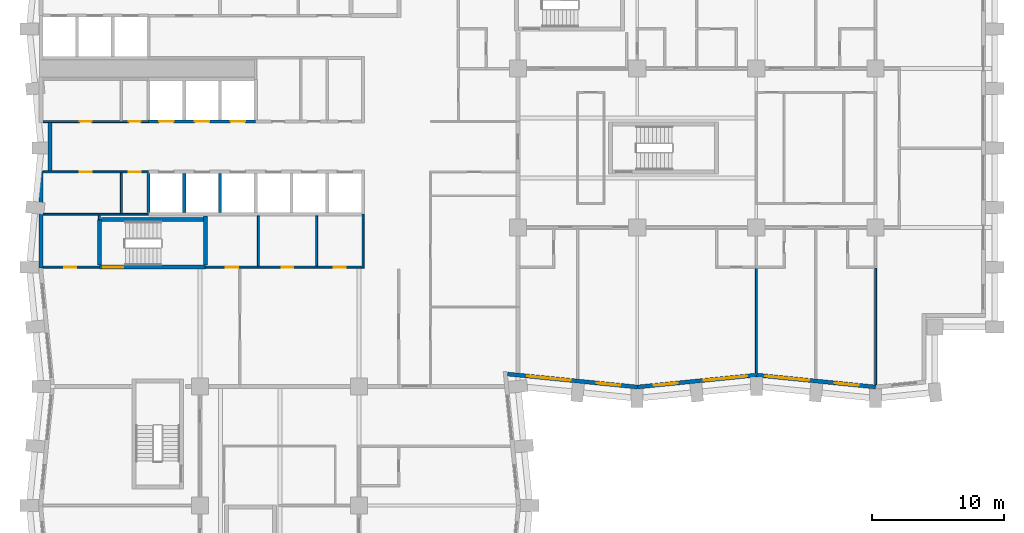
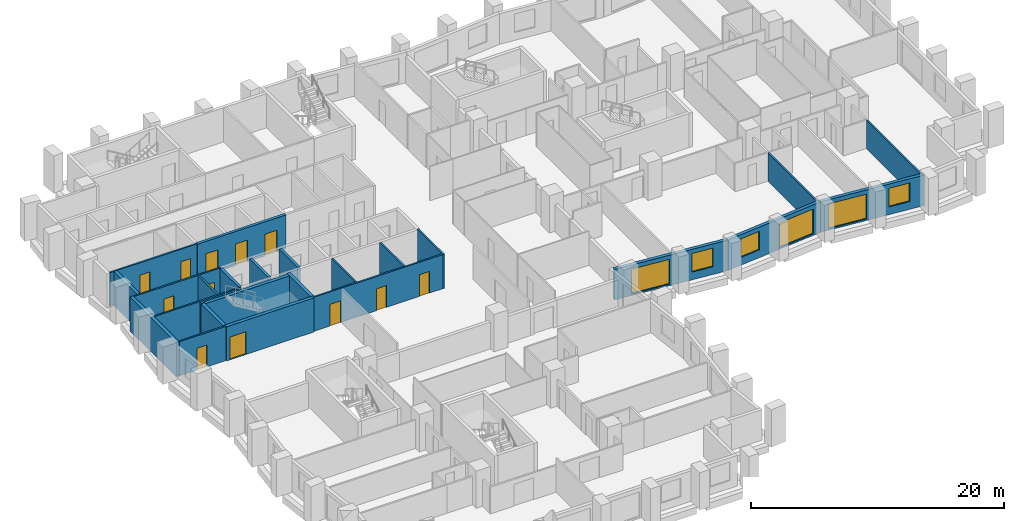
# One storey, part 5 of 12: 25 walls, 12 doors, 6 windows, 18 openings.
"""IFC4 building model written with IfcOpenShell, lengths in metres."""

from ifc_helpers import new_model, si_unit, direction, frame, frame_2d, origin, place, context, subcontext, project, spatial, rectangle, extrude, material, layer, layer_set, type_object, element, fill, save


model = new_model("IFC4")

# Units and contexts
model_context = context("Model", 3, precision=1e-05, world=origin(), true_north=direction((0.0, 1.0)))
body_context = subcontext(model_context, "Body", "Model", "MODEL_VIEW")
ifc_project = project(units=[si_unit("LENGTHUNIT", "METRE"), si_unit("AREAUNIT", "SQUARE_METRE"), si_unit("VOLUMEUNIT", "CUBIC_METRE"), si_unit("PLANEANGLEUNIT", "RADIAN"), si_unit("MASSUNIT", "GRAM", prefix="KILO")], contexts=[model_context])

# Site, building, storey
site_placement = place(None, origin())
site = spatial("IfcSite", under=ifc_project, at=site_placement, CompositionType="ELEMENT")
building_placement = place(site_placement, origin())
building = spatial("IfcBuilding", under=site, at=building_placement, Name="Brondeck Convention Tower", CompositionType="ELEMENT")
storey_placement = place(building_placement, frame((0.0, 0.0, 62.699951171875)))
storey = spatial("IfcBuildingStorey", under=building, at=storey_placement, Name="L13", CompositionType="ELEMENT", Elevation=62.699951171875)

# Wall, openings, doors
ifc_material_1 = material(Name="Concrete C80/95", Category="concrete")
ifc_layer_1 = layer(ifc_material_1, 0.14990234375)
ifc_layer_set_1 = layer_set([ifc_layer_1], Name="Core beam-seat wall 150 Concrete C80/95")
wall_type_1 = type_object("IfcWallType", Name="Core beam-seat wall 150 Concrete C80/95", PredefinedType="SHEAR", material=ifc_layer_set_1)
wall_1_placement = place(storey_placement, frame((12.39990234375, 36.0, 0.0), z_axis=(0.0, 0.0, 1.0), x_axis=(1.0, 0.0, 0.0)))
wall_1 = element("IfcWall", 1, at=wall_1_placement, inside=storey, type_object=wall_type_1, Name="L13 core wall", PredefinedType="SHEAR", context=body_context, shape_type="SweptSolid", body=[
    extrude(rectangle(XDim=11.8251953125, YDim=0.14990234375, at=frame_2d((5.91259765625, 0.0))), origin(), (0.0, 0.0, 1.0), 3.300048828125),
])
opening_1_placement = place(wall_1_placement, frame((1.52490234375, 0.0, 0.0)))
opening_1 = element("IfcOpeningElement", 2, at=opening_1_placement, cuts=wall_1, Name="Opening C10-03", PredefinedType="OPENING", context=body_context, shape_type="SweptSolid", body=[
    extrude(rectangle(XDim=0.949951171875, YDim=2.10009765625, at=frame_2d((0.47509765625, 1.050048828125))), frame((0.0, 0.0849609375, 0.0), z_axis=(0.0, -1.0, 0.0), x_axis=(1.0, 0.0, 0.0)), (0.0, 0.0, 1.0), 0.169921875),
])
opening_2_placement = place(wall_1_placement, frame((5.75, 0.0, 0.0)))
opening_2 = element("IfcOpeningElement", 3, at=opening_2_placement, cuts=wall_1, Name="Opening C10-04", PredefinedType="OPENING", context=body_context, shape_type="SweptSolid", body=[
    extrude(rectangle(XDim=0.89990234375, YDim=2.10009765625, at=frame_2d((0.449951171875, 1.050048828125))), frame((0.0, 0.0849609375, 0.0), z_axis=(0.0, -1.0, 0.0), x_axis=(1.0, 0.0, 0.0)), (0.0, 0.0, 1.0), 0.169921875),
])
opening_3_placement = place(wall_1_placement, frame((9.699951171875, 0.0, 0.0)))
opening_3 = element("IfcOpeningElement", 4, at=opening_3_placement, cuts=wall_1, Name="Opening C10-05", PredefinedType="OPENING", context=body_context, shape_type="SweptSolid", body=[
    extrude(rectangle(XDim=0.89990234375, YDim=2.10009765625, at=frame_2d((0.449951171875, 1.050048828125))), frame((0.0, 0.0849609375, 0.0), z_axis=(0.0, -1.0, 0.0), x_axis=(1.0, 0.0, 0.0)), (0.0, 0.0, 1.0), 0.169921875),
])
ifc_material_2 = material(Name="Steel fire door", Category="steel")
door_type_1 = type_object("IfcDoorType", Name="Room door 900x2100 EI 60", OperationType="NOTDEFINED", PredefinedType="DOOR", material=ifc_material_2)
door_1_placement = place(opening_2_placement, origin())
door_1 = element("IfcDoor", 5, at=door_1_placement, inside=storey, type_object=door_type_1, Name="L13 Room door FR-2", OperationType="SINGLE_SWING_LEFT", OverallHeight=2.10009765625, OverallWidth=0.89990234375, PredefinedType="DOOR", context=body_context, shape_type="SweptSolid", body=[
    extrude(rectangle(XDim=0.89990234375, YDim=2.10009765625, at=frame_2d((0.449951171875, 1.050048828125))), frame((0.0, 0.02490234375, 0.0), z_axis=(0.0, -1.0, 0.0), x_axis=(1.0, 0.0, 0.0)), (0.0, 0.0, 1.0), 0.050048828125),
])
fill(opening_2, door_1)
door_2_placement = place(opening_3_placement, origin())
door_2 = element("IfcDoor", 6, at=door_2_placement, inside=storey, type_object=door_type_1, Name="L13 Room door FR-3", OperationType="SINGLE_SWING_RIGHT", OverallHeight=2.10009765625, OverallWidth=0.89990234375, PredefinedType="DOOR", context=body_context, shape_type="SweptSolid", body=[
    extrude(rectangle(XDim=0.89990234375, YDim=2.10009765625, at=frame_2d((0.449951171875, 1.050048828125))), frame((0.0, 0.02490234375, 0.0), z_axis=(0.0, -1.0, 0.0), x_axis=(1.0, 0.0, 0.0)), (0.0, 0.0, 1.0), 0.050048828125),
])
fill(opening_3, door_2)
door_type_2 = type_object("IfcDoorType", Name="Room door 950x2100 EI 60", OperationType="NOTDEFINED", PredefinedType="DOOR", material=ifc_material_2)
door_3_placement = place(opening_1_placement, origin())
door_3 = element("IfcDoor", 7, at=door_3_placement, inside=storey, type_object=door_type_2, Name="L13 Room door FR-1", OperationType="SINGLE_SWING_RIGHT", OverallHeight=2.10009765625, OverallWidth=0.949951171875, PredefinedType="DOOR", context=body_context, shape_type="SweptSolid", body=[
    extrude(rectangle(XDim=0.949951171875, YDim=2.10009765625, at=frame_2d((0.47509765625, 1.050048828125))), frame((0.0, 0.02490234375, 0.0), z_axis=(0.0, -1.0, 0.0), x_axis=(1.0, 0.0, 0.0)), (0.0, 0.0, 1.0), 0.050048828125),
])
fill(opening_1, door_3)

# Walls
wall_2_placement = place(storey_placement, frame((24.300048828125, 35.925048828125, 0.0), z_axis=(0.0, 0.0, 1.0), x_axis=(0.0, 1.0, 0.0)))
element("IfcWall", 8, at=wall_2_placement, inside=storey, type_object=wall_type_1, Name="L13 core wall", PredefinedType="SHEAR", context=body_context, shape_type="SweptSolid", body=[
    extrude(rectangle(XDim=4.074951171875, YDim=0.14990234375, at=frame_2d((2.03759765625, 0.0))), origin(), (0.0, 0.0, 1.0), 3.300048828125),
])
ifc_layer_2 = layer(ifc_material_1, 0.300048828125)
ifc_layer_set_2 = layer_set([ifc_layer_2], Name="Core outer wall 300 Concrete C80/95")
wall_type_2 = type_object("IfcWallType", Name="Core outer wall 300 Concrete C80/95", PredefinedType="SHEAR", material=ifc_layer_set_2)
wall_3_placement = place(storey_placement, frame((0.0, 35.925048828125, 0.0), z_axis=(0.0, 0.0, 1.0), x_axis=(0.0, 1.0, 0.0)))
element("IfcWall", 9, at=wall_3_placement, inside=storey, type_object=wall_type_2, Name="L13 core wall", PredefinedType="SHEAR", context=body_context, shape_type="SweptSolid", body=[
    extrude(rectangle(XDim=7.349853515625, YDim=0.300048828125, at=frame_2d((3.6748046875, 0.0))), origin(), (0.0, 0.0, 1.0), 3.300048828125),
])
wall_4_placement = place(storey_placement, frame((0.64990234375, 43.27490234375, 0.0), z_axis=(0.0, 0.0, 1.0), x_axis=(0.0, 1.0, 0.0)))
element("IfcWall", 10, at=wall_4_placement, inside=storey, type_object=wall_type_2, Name="L13 core wall", PredefinedType="SHEAR", context=body_context, shape_type="SweptSolid", body=[
    extrude(rectangle(XDim=3.650146484375, YDim=0.300048828125, at=frame_2d((1.8251953125, 0.0))), origin(), (0.0, 0.0, 1.0), 3.300048828125),
])

# Wall, opening, door
ifc_material_3 = material(Name="Fire-rated gypsum board partition")
ifc_layer_3 = layer(ifc_material_3, 0.14990234375)
ifc_layer_set_3 = layer_set([ifc_layer_3], Name="Core partition 150 EI 60")
wall_type_3 = type_object("IfcWallType", Name="Core partition 150 EI 60", PredefinedType="PARTITIONING", material=ifc_layer_set_3)
wall_5_placement = place(storey_placement, frame((0.14990234375, 36.0, 0.0), z_axis=(0.0, 0.0, 1.0), x_axis=(1.0, 0.0, 0.0)))
wall_5 = element("IfcWall", 11, at=wall_5_placement, inside=storey, type_object=wall_type_3, Name="L13 core wall", PredefinedType="PARTITIONING", context=body_context, shape_type="SweptSolid", body=[
    extrude(rectangle(XDim=4.25, YDim=0.14990234375, at=frame_2d((2.125, 0.0))), origin(), (0.0, 0.0, 1.0), 3.300048828125),
])
opening_4_placement = place(wall_5_placement, frame((1.60009765625, 0.0, 0.0)))
opening_4 = element("IfcOpeningElement", 12, at=opening_4_placement, cuts=wall_5, Name="Opening C10-06", PredefinedType="OPENING", context=body_context, shape_type="SweptSolid", body=[
    extrude(rectangle(XDim=0.89990234375, YDim=2.10009765625, at=frame_2d((0.449951171875, 1.050048828125))), frame((0.0, 0.0849609375, 0.0), z_axis=(0.0, -1.0, 0.0), x_axis=(1.0, 0.0, 0.0)), (0.0, 0.0, 1.0), 0.169921875),
])
door_4_placement = place(opening_4_placement, origin())
door_4 = element("IfcDoor", 13, at=door_4_placement, inside=storey, type_object=door_type_1, Name="L13 Room door FRW-1", OperationType="SINGLE_SWING_LEFT", OverallHeight=2.10009765625, OverallWidth=0.89990234375, PredefinedType="DOOR", context=body_context, shape_type="SweptSolid", body=[
    extrude(rectangle(XDim=0.89990234375, YDim=2.10009765625, at=frame_2d((0.449951171875, 1.050048828125))), frame((0.0, 0.02490234375, 0.0), z_axis=(0.0, -1.0, 0.0), x_axis=(1.0, 0.0, 0.0)), (0.0, 0.0, 1.0), 0.050048828125),
])
fill(opening_4, door_4)

# Wall
wall_6_placement = place(storey_placement, frame((0.14990234375, 40.0, 0.0), z_axis=(0.0, 0.0, 1.0), x_axis=(1.0, 0.0, 0.0)))
element("IfcWall", 14, at=wall_6_placement, inside=storey, type_object=wall_type_3, Name="L13 core wall", PredefinedType="PARTITIONING", context=body_context, shape_type="SweptSolid", body=[
    extrude(rectangle(XDim=7.9501953125, YDim=0.14990234375, at=frame_2d((3.97509765625, 0.0))), origin(), (0.0, 0.0, 1.0), 3.300048828125),
])

# Wall, openings, doors
wall_7_placement = place(storey_placement, frame((0.14990234375, 43.199951171875, 0.0), z_axis=(0.0, 0.0, 1.0), x_axis=(1.0, 0.0, 0.0)))
wall_7 = element("IfcWall", 15, at=wall_7_placement, inside=storey, type_object=wall_type_3, Name="L13 core wall", PredefinedType="PARTITIONING", context=body_context, shape_type="SweptSolid", body=[
    extrude(rectangle(XDim=7.9501953125, YDim=0.14990234375, at=frame_2d((3.97509765625, 0.0))), origin(), (0.0, 0.0, 1.0), 3.300048828125),
])
opening_5_placement = place(wall_7_placement, frame((2.75, 0.0, 0.0)))
opening_5 = element("IfcOpeningElement", 16, at=opening_5_placement, cuts=wall_7, Name="Opening C10-11", PredefinedType="OPENING", context=body_context, shape_type="SweptSolid", body=[
    extrude(rectangle(XDim=0.89990234375, YDim=2.10009765625, at=frame_2d((0.449951171875, 1.050048828125))), frame((0.0, 0.0849609375, 0.0), z_axis=(0.0, -1.0, 0.0), x_axis=(1.0, 0.0, 0.0)), (0.0, 0.0, 1.0), 0.169921875),
])
opening_6_placement = place(wall_7_placement, frame((6.47509765625, 0.0, 0.0)))
opening_6 = element("IfcOpeningElement", 17, at=opening_6_placement, cuts=wall_7, Name="Opening C10-12", PredefinedType="OPENING", context=body_context, shape_type="SweptSolid", body=[
    extrude(rectangle(XDim=0.89990234375, YDim=2.10009765625, at=frame_2d((0.449951171875, 1.050048828125))), frame((0.0, 0.0849609375, 0.0), z_axis=(0.0, -1.0, 0.0), x_axis=(1.0, 0.0, 0.0)), (0.0, 0.0, 1.0), 0.169921875),
])
door_5_placement = place(opening_5_placement, origin())
door_5 = element("IfcDoor", 18, at=door_5_placement, inside=storey, type_object=door_type_1, Name="L13 Room door FZ-S-0-1", OperationType="SINGLE_SWING_LEFT", OverallHeight=2.10009765625, OverallWidth=0.89990234375, PredefinedType="DOOR", context=body_context, shape_type="SweptSolid", body=[
    extrude(rectangle(XDim=0.89990234375, YDim=2.10009765625, at=frame_2d((0.449951171875, 1.050048828125))), frame((0.0, 0.02490234375, 0.0), z_axis=(0.0, -1.0, 0.0), x_axis=(1.0, 0.0, 0.0)), (0.0, 0.0, 1.0), 0.050048828125),
])
fill(opening_5, door_5)
door_6_placement = place(opening_6_placement, origin())
door_6 = element("IfcDoor", 19, at=door_6_placement, inside=storey, type_object=door_type_1, Name="L13 Room door FZ-S-0-2", OperationType="SINGLE_SWING_RIGHT", OverallHeight=2.10009765625, OverallWidth=0.89990234375, PredefinedType="DOOR", context=body_context, shape_type="SweptSolid", body=[
    extrude(rectangle(XDim=0.89990234375, YDim=2.10009765625, at=frame_2d((0.449951171875, 1.050048828125))), frame((0.0, 0.02490234375, 0.0), z_axis=(0.0, -1.0, 0.0), x_axis=(1.0, 0.0, 0.0)), (0.0, 0.0, 1.0), 0.050048828125),
])
fill(opening_6, door_6)

wall_8_placement = place(storey_placement, frame((0.14990234375, 47.0, 0.0), z_axis=(0.0, 0.0, 1.0), x_axis=(1.0, 0.0, 0.0)))
wall_8 = element("IfcWall", 20, at=wall_8_placement, inside=storey, type_object=wall_type_3, Name="L13 core wall", PredefinedType="PARTITIONING", context=body_context, shape_type="SweptSolid", body=[
    extrude(rectangle(XDim=7.9501953125, YDim=0.14990234375, at=frame_2d((3.97509765625, 0.0))), origin(), (0.0, 0.0, 1.0), 3.300048828125),
])
opening_7_placement = place(wall_8_placement, frame((2.75, 0.0, 0.0)))
opening_7 = element("IfcOpeningElement", 21, at=opening_7_placement, cuts=wall_8, Name="Opening C10-07", PredefinedType="OPENING", context=body_context, shape_type="SweptSolid", body=[
    extrude(rectangle(XDim=0.89990234375, YDim=2.10009765625, at=frame_2d((0.449951171875, 1.050048828125))), frame((0.0, 0.0849609375, 0.0), z_axis=(0.0, -1.0, 0.0), x_axis=(1.0, 0.0, 0.0)), (0.0, 0.0, 1.0), 0.169921875),
])
opening_8_placement = place(wall_8_placement, frame((6.47509765625, 0.0, 0.0)))
opening_8 = element("IfcOpeningElement", 22, at=opening_8_placement, cuts=wall_8, Name="Opening C10-08", PredefinedType="OPENING", context=body_context, shape_type="SweptSolid", body=[
    extrude(rectangle(XDim=0.89990234375, YDim=2.10009765625, at=frame_2d((0.449951171875, 1.050048828125))), frame((0.0, 0.0849609375, 0.0), z_axis=(0.0, -1.0, 0.0), x_axis=(1.0, 0.0, 0.0)), (0.0, 0.0, 1.0), 0.169921875),
])
door_7_placement = place(opening_7_placement, origin())
door_7 = element("IfcDoor", 23, at=door_7_placement, inside=storey, type_object=door_type_1, Name="L13 Room door FZ-N-0-1", OperationType="SINGLE_SWING_RIGHT", OverallHeight=2.10009765625, OverallWidth=0.89990234375, PredefinedType="DOOR", context=body_context, shape_type="SweptSolid", body=[
    extrude(rectangle(XDim=0.89990234375, YDim=2.10009765625, at=frame_2d((0.449951171875, 1.050048828125))), frame((0.0, 0.02490234375, 0.0), z_axis=(0.0, -1.0, 0.0), x_axis=(1.0, 0.0, 0.0)), (0.0, 0.0, 1.0), 0.050048828125),
])
fill(opening_7, door_7)
door_8_placement = place(opening_8_placement, origin())
door_8 = element("IfcDoor", 24, at=door_8_placement, inside=storey, type_object=door_type_1, Name="L13 Room door FZ-N-0-2", OperationType="SINGLE_SWING_LEFT", OverallHeight=2.10009765625, OverallWidth=0.89990234375, PredefinedType="DOOR", context=body_context, shape_type="SweptSolid", body=[
    extrude(rectangle(XDim=0.89990234375, YDim=2.10009765625, at=frame_2d((0.449951171875, 1.050048828125))), frame((0.0, 0.02490234375, 0.0), z_axis=(0.0, -1.0, 0.0), x_axis=(1.0, 0.0, 0.0)), (0.0, 0.0, 1.0), 0.050048828125),
])
fill(opening_8, door_8)

# Walls
wall_9_placement = place(storey_placement, frame((4.39990234375, 39.60009765625, 0.0), z_axis=(0.0, 0.0, 1.0), x_axis=(0.0, 1.0, 0.0)))
element("IfcWall", 25, at=wall_9_placement, inside=storey, type_object=wall_type_3, Name="L13 core wall", PredefinedType="PARTITIONING", context=body_context, shape_type="SweptSolid", body=[
    extrude(rectangle(XDim=0.324951171875, YDim=0.14990234375, at=frame_2d((0.16259765625, 0.0))), origin(), (0.0, 0.0, 1.0), 3.300048828125),
])
wall_10_placement = place(storey_placement, frame((6.050048828125, 40.074951171875, 0.0), z_axis=(0.0, 0.0, 1.0), x_axis=(0.0, 1.0, 0.0)))
element("IfcWall", 26, at=wall_10_placement, inside=storey, type_object=wall_type_3, Name="L13 core wall", PredefinedType="PARTITIONING", context=body_context, shape_type="SweptSolid", body=[
    extrude(rectangle(XDim=3.050048828125, YDim=0.14990234375, at=frame_2d((1.52490234375, 0.0))), origin(), (0.0, 0.0, 1.0), 3.300048828125),
])
for number, where, z_axis, x_axis, name in (
    (27, (16.39990234375, 36.074951171875, 0.0), (0.0, 0.0, 1.0), (0.0, 1.0, 0.0), "L13 core wall"),
    (28, (20.800048828125, 36.074951171875, 0.0), (0.0, 0.0, 1.0), (0.0, 1.0, 0.0), "L13 core wall"),
):
    element("IfcWall", number, at=place(storey_placement, frame(where, z_axis=z_axis, x_axis=x_axis)), inside=storey, type_object=wall_type_3, Name=name, PredefinedType="PARTITIONING", context=body_context, shape_type="SweptSolid", body=[
        extrude(rectangle(XDim=3.800048828125, YDim=0.14990234375, at=frame_2d((1.89990234375, 0.0))), origin(), (0.0, 0.0, 1.0), 3.300048828125),
    ])

# Wall, openings, windows
ifc_material_4 = material(Name="Precast concrete C50/60 bronze finish", Category="concrete")
ifc_layer_4 = layer(ifc_material_4, 0.070068359375, Name="Bronze precast facing")
ifc_material_5 = material(Name="Mineral wool")
ifc_layer_5 = layer(ifc_material_5, 0.159912109375, Name="Insulation")
ifc_material_6 = material(Name="Concrete C35/45", Category="concrete")
ifc_layer_6 = layer(ifc_material_6, 0.070068359375, Name="Backing")
ifc_layer_set_4 = layer_set([ifc_layer_4, ifc_layer_5, ifc_layer_6], Name="External infill wall, precast concrete C50/60 bronze facing")
wall_type_4 = type_object("IfcWallType", Name="External infill wall, precast concrete C50/60 bronze facing", PredefinedType="SOLIDWALL", material=ifc_layer_set_4)
wall_11_placement = place(storey_placement, frame((45.014892578125, 26.95263671875, 0.0), z_axis=(0.0, 0.0, 1.0), x_axis=(-0.995036699177, 0.099508629231, 0.0)))
wall_11 = element("IfcWall", 29, at=wall_11_placement, inside=storey, type_object=wall_type_4, Name="ENV-EW-L13-P0-A-S-00", PredefinedType="SOLIDWALL", context=body_context, shape_type="SweptSolid", body=[
    extrude(rectangle(XDim=9.845703125, YDim=0.300048828125, at=frame_2d((4.9228515625, 0.0))), origin(), (0.0, 0.0, 1.0), 2.949951171875),
])
opening_9_placement = place(wall_11_placement, frame((1.291259765625, 0.0, 0.75)))
opening_9 = element("IfcOpeningElement", 30, at=opening_9_placement, cuts=wall_11, Name="Opening W10", PredefinedType="OPENING", context=body_context, shape_type="SweptSolid", body=[
    extrude(rectangle(XDim=1.800048828125, YDim=1.800048828125, at=frame_2d((0.89990234375, 0.89990234375))), frame((0.0, 0.159912109375, 0.0), z_axis=(0.0, -1.0, 0.0), x_axis=(1.0, 0.0, 0.0)), (0.0, 0.0, 1.0), 0.320068359375),
])
opening_10_placement = place(wall_11_placement, frame((5.063720703125, 0.0, 0.14990234375)))
opening_10 = element("IfcOpeningElement", 31, at=opening_10_placement, cuts=wall_11, Name="Opening W9", PredefinedType="OPENING", context=body_context, shape_type="SweptSolid", body=[
    extrude(rectangle(XDim=3.300048828125, YDim=2.39990234375, at=frame_2d((1.64990234375, 1.199951171875))), frame((0.0, 0.159912109375, 0.0), z_axis=(0.0, -1.0, 0.0), x_axis=(1.0, 0.0, 0.0)), (0.0, 0.0, 1.0), 0.320068359375),
])
ifc_material_7 = material(Name="Bronze tinted double glazing", Category="glass")
window_type_1 = type_object("IfcWindowType", Name="Glazed flute window, bronze tinted", PartitioningType="SINGLE_PANEL", PredefinedType="WINDOW", material=ifc_material_7)
window_1_placement = place(opening_10_placement, origin())
window_1 = element("IfcWindow", 32, at=window_1_placement, inside=storey, type_object=window_type_1, Name="ENV-WN-L13-P0-A-S-00", OverallHeight=2.39990234375, OverallWidth=3.300048828125, PartitioningType="SINGLE_PANEL", PredefinedType="WINDOW", context=body_context, shape_type="SweptSolid", body=[
    extrude(rectangle(XDim=3.300048828125, YDim=2.39990234375, at=frame_2d((1.64990234375, 1.199951171875))), frame((0.0, 0.030029296875, 0.0), z_axis=(0.0, -1.0, 0.0), x_axis=(1.0, 0.0, 0.0)), (0.0, 0.0, 1.0), 0.06005859375),
])
fill(opening_10, window_1)
window_type_2 = type_object("IfcWindowType", Name="Punched window, bronze tinted", PartitioningType="SINGLE_PANEL", PredefinedType="WINDOW", material=ifc_material_7)
window_2_placement = place(opening_9_placement, origin())
window_2 = element("IfcWindow", 33, at=window_2_placement, inside=storey, type_object=window_type_2, Name="ENV-WN-L13-P0-A-S-01", OverallHeight=1.800048828125, OverallWidth=1.800048828125, PartitioningType="SINGLE_PANEL", PredefinedType="WINDOW", context=body_context, shape_type="SweptSolid", body=[
    extrude(rectangle(XDim=1.800048828125, YDim=1.800048828125, at=frame_2d((0.89990234375, 0.89990234375))), frame((0.0, 0.030029296875, 0.0), z_axis=(0.0, -1.0, 0.0), x_axis=(1.0, 0.0, 0.0)), (0.0, 0.0, 1.0), 0.06005859375),
])
fill(opening_9, window_2)

wall_12_placement = place(storey_placement, frame((54.014892578125, 27.855712890625, 0.0), z_axis=(0.0, 0.0, 1.0), x_axis=(-0.995037993253, -0.099495688264, 0.0)))
wall_12 = element("IfcWall", 34, at=wall_12_placement, inside=storey, type_object=wall_type_4, Name="ENV-EW-L13-P0-A-S-02", PredefinedType="SOLIDWALL", context=body_context, shape_type="SweptSolid", body=[
    extrude(rectangle(XDim=9.030029296875, YDim=0.300048828125, at=frame_2d((4.51513671875, 0.0))), origin(), (0.0, 0.0, 1.0), 2.949951171875),
])
opening_11_placement = place(wall_12_placement, frame((0.711181640625, 0.0, 0.14990234375)))
opening_11 = element("IfcOpeningElement", 35, at=opening_11_placement, cuts=wall_12, Name="Opening W9", PredefinedType="OPENING", context=body_context, shape_type="SweptSolid", body=[
    extrude(rectangle(XDim=3.300048828125, YDim=2.39990234375, at=frame_2d((1.64990234375, 1.199951171875))), frame((0.0, 0.159912109375, 0.0), z_axis=(0.0, -1.0, 0.0), x_axis=(1.0, 0.0, 0.0)), (0.0, 0.0, 1.0), 0.320068359375),
])
opening_12_placement = place(wall_12_placement, frame((5.983642578125, 0.0, 0.75)))
opening_12 = element("IfcOpeningElement", 36, at=opening_12_placement, cuts=wall_12, Name="Opening W10", PredefinedType="OPENING", context=body_context, shape_type="SweptSolid", body=[
    extrude(rectangle(XDim=1.800048828125, YDim=1.800048828125, at=frame_2d((0.89990234375, 0.89990234375))), frame((0.0, 0.159912109375, 0.0), z_axis=(0.0, -1.0, 0.0), x_axis=(1.0, 0.0, 0.0)), (0.0, 0.0, 1.0), 0.320068359375),
])
window_3_placement = place(opening_11_placement, origin())
window_3 = element("IfcWindow", 37, at=window_3_placement, inside=storey, type_object=window_type_1, Name="ENV-WN-L13-P0-A-S-03", OverallHeight=2.39990234375, OverallWidth=3.300048828125, PartitioningType="SINGLE_PANEL", PredefinedType="WINDOW", context=body_context, shape_type="SweptSolid", body=[
    extrude(rectangle(XDim=3.300048828125, YDim=2.39990234375, at=frame_2d((1.64990234375, 1.199951171875))), frame((0.0, 0.030029296875, 0.0), z_axis=(0.0, -1.0, 0.0), x_axis=(1.0, 0.0, 0.0)), (0.0, 0.0, 1.0), 0.06005859375),
])
fill(opening_11, window_3)
window_4_placement = place(opening_12_placement, origin())
window_4 = element("IfcWindow", 38, at=window_4_placement, inside=storey, type_object=window_type_2, Name="ENV-WN-L13-P0-A-S-02", OverallHeight=1.800048828125, OverallWidth=1.800048828125, PartitioningType="SINGLE_PANEL", PredefinedType="WINDOW", context=body_context, shape_type="SweptSolid", body=[
    extrude(rectangle(XDim=1.800048828125, YDim=1.800048828125, at=frame_2d((0.89990234375, 0.89990234375))), frame((0.0, 0.030029296875, 0.0), z_axis=(0.0, -1.0, 0.0), x_axis=(1.0, 0.0, 0.0)), (0.0, 0.0, 1.0), 0.06005859375),
])
fill(opening_12, window_4)

wall_13_placement = place(storey_placement, frame((63.014892578125, 26.95263671875, 0.0), z_axis=(0.0, 0.0, 1.0), x_axis=(-0.995035316196, 0.099522457379, 0.0)))
wall_13 = element("IfcWall", 39, at=wall_13_placement, inside=storey, type_object=wall_type_4, Name="ENV-EW-L13-P0-A-S-04", PredefinedType="SOLIDWALL", context=body_context, shape_type="SweptSolid", body=[
    extrude(rectangle(XDim=9.030029296875, YDim=0.300048828125, at=frame_2d((4.51513671875, 0.0))), origin(), (0.0, 0.0, 1.0), 2.949951171875),
])
opening_13_placement = place(wall_13_placement, frame((1.291259765625, 0.0, 0.75)))
opening_13 = element("IfcOpeningElement", 40, at=opening_13_placement, cuts=wall_13, Name="Opening W10", PredefinedType="OPENING", context=body_context, shape_type="SweptSolid", body=[
    extrude(rectangle(XDim=1.800048828125, YDim=1.800048828125, at=frame_2d((0.89990234375, 0.89990234375))), frame((0.0, 0.159912109375, 0.0), z_axis=(0.0, -1.0, 0.0), x_axis=(1.0, 0.0, 0.0)), (0.0, 0.0, 1.0), 0.320068359375),
])
opening_14_placement = place(wall_13_placement, frame((5.063720703125, 0.0, 0.14990234375)))
opening_14 = element("IfcOpeningElement", 41, at=opening_14_placement, cuts=wall_13, Name="Opening W9", PredefinedType="OPENING", context=body_context, shape_type="SweptSolid", body=[
    extrude(rectangle(XDim=3.300048828125, YDim=2.39990234375, at=frame_2d((1.64990234375, 1.199951171875))), frame((0.0, 0.159912109375, 0.0), z_axis=(0.0, -1.0, 0.0), x_axis=(1.0, 0.0, 0.0)), (0.0, 0.0, 1.0), 0.320068359375),
])
window_5_placement = place(opening_14_placement, origin())
window_5 = element("IfcWindow", 42, at=window_5_placement, inside=storey, type_object=window_type_1, Name="ENV-WN-L13-P0-A-S-04", OverallHeight=2.39990234375, OverallWidth=3.300048828125, PartitioningType="SINGLE_PANEL", PredefinedType="WINDOW", context=body_context, shape_type="SweptSolid", body=[
    extrude(rectangle(XDim=3.300048828125, YDim=2.39990234375, at=frame_2d((1.64990234375, 1.199951171875))), frame((0.0, 0.030029296875, 0.0), z_axis=(0.0, -1.0, 0.0), x_axis=(1.0, 0.0, 0.0)), (0.0, 0.0, 1.0), 0.06005859375),
])
fill(opening_14, window_5)
window_6_placement = place(opening_13_placement, origin())
window_6 = element("IfcWindow", 43, at=window_6_placement, inside=storey, type_object=window_type_2, Name="ENV-WN-L13-P0-A-S-05", OverallHeight=1.800048828125, OverallWidth=1.800048828125, PartitioningType="SINGLE_PANEL", PredefinedType="WINDOW", context=body_context, shape_type="SweptSolid", body=[
    extrude(rectangle(XDim=1.800048828125, YDim=1.800048828125, at=frame_2d((0.89990234375, 0.89990234375))), frame((0.0, 0.030029296875, 0.0), z_axis=(0.0, -1.0, 0.0), x_axis=(1.0, 0.0, 0.0)), (0.0, 0.0, 1.0), 0.06005859375),
])
fill(opening_13, window_6)

# Walls
ifc_material_8 = material(Name="Double gypsum board acoustic wall")
ifc_layer_7 = layer(ifc_material_8, 0.14990234375)
ifc_layer_set_5 = layer_set([ifc_layer_7], Name="Guest room party wall 150")
wall_type_5 = type_object("IfcWallType", Name="Guest room party wall 150", PredefinedType="PARTITIONING", material=ifc_layer_set_5)
wall_14_placement = place(storey_placement, frame((54.0, 35.925048828125, 0.0), z_axis=(0.0, 0.0, 1.0), x_axis=(0.0, -1.0, 0.0)))
element("IfcWall", 44, at=wall_14_placement, inside=storey, type_object=wall_type_5, Name="FLR-L13-W048", PredefinedType="PARTITIONING", context=body_context, shape_type="SweptSolid", body=[
    extrude(rectangle(XDim=7.900146484375, YDim=0.14990234375, at=frame_2d((3.9501953125, 0.0))), origin(), (0.0, 0.0, 1.0), 2.72998046875),
])
wall_15_placement = place(storey_placement, frame((63.0, 35.925048828125, 0.0), z_axis=(0.0, 0.0, 1.0), x_axis=(0.0, -1.0, 0.0)))
element("IfcWall", 45, at=wall_15_placement, inside=storey, type_object=wall_type_5, Name="FLR-L13-W049", PredefinedType="PARTITIONING", context=body_context, shape_type="SweptSolid", body=[
    extrude(rectangle(XDim=8.800048828125, YDim=0.14990234375, at=frame_2d((4.39990234375, 0.0))), origin(), (0.0, 0.0, 1.0), 2.72998046875),
])

# Wall, openings, doors
ifc_layer_8 = layer(ifc_material_1, 0.25)
ifc_layer_set_6 = layer_set([ifc_layer_8], Name="Lift shaft wall 250 Concrete C80/95")
wall_type_6 = type_object("IfcWallType", Name="Lift shaft wall 250 Concrete C80/95", PredefinedType="SHEAR", material=ifc_layer_set_6)
wall_16_placement = place(storey_placement, frame((8.10009765625, 47.0, 0.0), z_axis=(0.0, 0.0, 1.0), x_axis=(1.0, 0.0, 0.0)))
wall_16 = element("IfcWall", 46, at=wall_16_placement, inside=storey, type_object=wall_type_6, Name="L13 core wall", PredefinedType="SHEAR", context=body_context, shape_type="SweptSolid", body=[
    extrude(rectangle(XDim=8.099853515625, YDim=0.25, at=frame_2d((4.0498046875, 0.0))), origin(), (0.0, 0.0, 1.0), 3.300048828125),
])
opening_15_placement = place(wall_16_placement, frame((0.800048828125, 0.0, 0.0)))
opening_15 = element("IfcOpeningElement", 47, at=opening_15_placement, cuts=wall_16, Name="Opening C10-29", PredefinedType="OPENING", context=body_context, shape_type="SweptSolid", body=[
    extrude(rectangle(XDim=1.10009765625, YDim=2.10009765625, at=frame_2d((0.550048828125, 1.050048828125))), frame((0.0, 0.135009765625, 0.0), z_axis=(0.0, -1.0, 0.0), x_axis=(1.0, 0.0, 0.0)), (0.0, 0.0, 1.0), 0.27001953125),
])
opening_16_placement = place(wall_16_placement, frame((3.5, 0.0, 0.0)))
opening_16 = element("IfcOpeningElement", 48, at=opening_16_placement, cuts=wall_16, Name="Opening C10-30", PredefinedType="OPENING", context=body_context, shape_type="SweptSolid", body=[
    extrude(rectangle(XDim=1.10009765625, YDim=2.10009765625, at=frame_2d((0.550048828125, 1.050048828125))), frame((0.0, 0.135009765625, 0.0), z_axis=(0.0, -1.0, 0.0), x_axis=(1.0, 0.0, 0.0)), (0.0, 0.0, 1.0), 0.27001953125),
])
opening_17_placement = place(wall_16_placement, frame((6.199951171875, 0.0, 0.0)))
opening_17 = element("IfcOpeningElement", 49, at=opening_17_placement, cuts=wall_16, Name="Opening C10-31", PredefinedType="OPENING", context=body_context, shape_type="SweptSolid", body=[
    extrude(rectangle(XDim=1.10009765625, YDim=2.10009765625, at=frame_2d((0.550048828125, 1.050048828125))), frame((0.0, 0.135009765625, 0.0), z_axis=(0.0, -1.0, 0.0), x_axis=(1.0, 0.0, 0.0)), (0.0, 0.0, 1.0), 0.27001953125),
])
ifc_material_9 = material(Name="Stainless steel lift door", Category="steel")
door_type_3 = type_object("IfcDoorType", Name="Lift landing door 1100x2100 EI 180", OperationType="DOUBLE_DOOR_SLIDING", PredefinedType="DOOR", material=ifc_material_9)
door_9_placement = place(opening_15_placement, origin())
door_9 = element("IfcDoor", 50, at=door_9_placement, inside=storey, type_object=door_type_3, Name="L13 Lift landing door LR4", OperationType="DOUBLE_DOOR_SLIDING", OverallHeight=2.10009765625, OverallWidth=1.10009765625, PredefinedType="DOOR", context=body_context, shape_type="SweptSolid", body=[
    extrude(rectangle(XDim=1.10009765625, YDim=2.10009765625, at=frame_2d((0.550048828125, 1.050048828125))), frame((0.0, 0.02490234375, 0.0), z_axis=(0.0, -1.0, 0.0), x_axis=(1.0, 0.0, 0.0)), (0.0, 0.0, 1.0), 0.050048828125),
])
fill(opening_15, door_9)
door_10_placement = place(opening_16_placement, origin())
door_10 = element("IfcDoor", 51, at=door_10_placement, inside=storey, type_object=door_type_3, Name="L13 Lift landing door LR5", OperationType="DOUBLE_DOOR_SLIDING", OverallHeight=2.10009765625, OverallWidth=1.10009765625, PredefinedType="DOOR", context=body_context, shape_type="SweptSolid", body=[
    extrude(rectangle(XDim=1.10009765625, YDim=2.10009765625, at=frame_2d((0.550048828125, 1.050048828125))), frame((0.0, 0.02490234375, 0.0), z_axis=(0.0, -1.0, 0.0), x_axis=(1.0, 0.0, 0.0)), (0.0, 0.0, 1.0), 0.050048828125),
])
fill(opening_16, door_10)
door_11_placement = place(opening_17_placement, origin())
door_11 = element("IfcDoor", 52, at=door_11_placement, inside=storey, type_object=door_type_3, Name="L13 Lift landing door LR6", OperationType="DOUBLE_DOOR_SLIDING", OverallHeight=2.10009765625, OverallWidth=1.10009765625, PredefinedType="DOOR", context=body_context, shape_type="SweptSolid", body=[
    extrude(rectangle(XDim=1.10009765625, YDim=2.10009765625, at=frame_2d((0.550048828125, 1.050048828125))), frame((0.0, 0.02490234375, 0.0), z_axis=(0.0, -1.0, 0.0), x_axis=(1.0, 0.0, 0.0)), (0.0, 0.0, 1.0), 0.050048828125),
])
fill(opening_17, door_11)

# Walls
for number, where, z_axis, x_axis, name in (
    (53, (8.10009765625, 40.125, 0.0), (0.0, 0.0, 1.0), (0.0, 1.0, 0.0), "L13 core wall"),
    (54, (10.800048828125, 40.125, 0.0), (0.0, 0.0, 1.0), (0.0, 1.0, 0.0), "L13 core wall"),
    (55, (13.5, 40.125, 0.0), (0.0, 0.0, 1.0), (0.0, 1.0, 0.0), "L13 core wall"),
):
    element("IfcWall", number, at=place(storey_placement, frame(where, z_axis=z_axis, x_axis=x_axis)), inside=storey, type_object=wall_type_6, Name=name, PredefinedType="SHEAR", context=body_context, shape_type="SweptSolid", body=[
        extrude(rectangle(XDim=2.949951171875, YDim=0.25, at=frame_2d((1.47509765625, 0.0))), origin(), (0.0, 0.0, 1.0), 3.300048828125),
    ])

# Wall, opening, door
ifc_layer_9 = layer(ifc_material_1, 0.300048828125)
ifc_layer_set_7 = layer_set([ifc_layer_9], Name="Stair enclosure wall 300 Concrete C80/95")
wall_type_7 = type_object("IfcWallType", Name="Stair enclosure wall 300 Concrete C80/95", PredefinedType="SHEAR", material=ifc_layer_set_7)
wall_17_placement = place(storey_placement, frame((4.39990234375, 36.0, 0.0), z_axis=(0.0, 0.0, 1.0), x_axis=(1.0, 0.0, 0.0)))
wall_17 = element("IfcWall", 56, at=wall_17_placement, inside=storey, type_object=wall_type_7, Name="L13 core wall", PredefinedType="SHEAR", context=body_context, shape_type="SweptSolid", body=[
    extrude(rectangle(XDim=8.0, YDim=0.300048828125, at=frame_2d((4.0, 0.0))), origin(), (0.0, 0.0, 1.0), 3.300048828125),
])
opening_18_placement = place(wall_17_placement, frame((0.300048828125, 0.0, 0.0)))
opening_18 = element("IfcOpeningElement", 57, at=opening_18_placement, cuts=wall_17, Name="Opening C10-15", PredefinedType="OPENING", context=body_context, shape_type="SweptSolid", body=[
    extrude(rectangle(XDim=1.5, YDim=2.199951171875, at=frame_2d((0.75, 1.10009765625))), frame((0.0, 0.159912109375, 0.0), z_axis=(0.0, -1.0, 0.0), x_axis=(1.0, 0.0, 0.0)), (0.0, 0.0, 1.0), 0.320068359375),
])
door_type_4 = type_object("IfcDoorType", Name="Stair door 1500x2200 EI 90", OperationType="NOTDEFINED", PredefinedType="DOOR", material=ifc_material_2)
door_12_placement = place(opening_18_placement, origin())
door_12 = element("IfcDoor", 58, at=door_12_placement, inside=storey, type_object=door_type_4, Name="L13 Stair door ST-1", OperationType="SINGLE_SWING_RIGHT", OverallHeight=2.199951171875, OverallWidth=1.5, PredefinedType="DOOR", context=body_context, shape_type="SweptSolid", body=[
    extrude(rectangle(XDim=1.5, YDim=2.199951171875, at=frame_2d((0.75, 1.10009765625))), frame((0.0, 0.02490234375, 0.0), z_axis=(0.0, -1.0, 0.0), x_axis=(1.0, 0.0, 0.0)), (0.0, 0.0, 1.0), 0.050048828125),
])
fill(opening_18, door_12)

# Walls
wall_18_placement = place(storey_placement, frame((4.550048828125, 39.60009765625, 0.0), z_axis=(0.0, 0.0, 1.0), x_axis=(1.0, 0.0, 0.0)))
element("IfcWall", 59, at=wall_18_placement, inside=storey, type_object=wall_type_7, Name="L13 core wall", PredefinedType="SHEAR", context=body_context, shape_type="SweptSolid", body=[
    extrude(rectangle(XDim=7.699951171875, YDim=0.300048828125, at=frame_2d((3.85009765625, 0.0))), origin(), (0.0, 0.0, 1.0), 3.300048828125),
])
wall_19_placement = place(storey_placement, frame((4.39990234375, 36.14990234375, 0.0), z_axis=(0.0, 0.0, 1.0), x_axis=(0.0, 1.0, 0.0)))
element("IfcWall", 60, at=wall_19_placement, inside=storey, type_object=wall_type_7, Name="L13 core wall", PredefinedType="SHEAR", context=body_context, shape_type="SweptSolid", body=[
    extrude(rectangle(XDim=3.4501953125, YDim=0.300048828125, at=frame_2d((1.72509765625, 0.0))), origin(), (0.0, 0.0, 1.0), 3.300048828125),
])
wall_20_placement = place(storey_placement, frame((12.39990234375, 36.14990234375, 0.0), z_axis=(0.0, 0.0, 1.0), x_axis=(0.0, 1.0, 0.0)))
element("IfcWall", 61, at=wall_20_placement, inside=storey, type_object=wall_type_7, Name="L13 core wall", PredefinedType="SHEAR", context=body_context, shape_type="SweptSolid", body=[
    extrude(rectangle(XDim=3.72509765625, YDim=0.300048828125, at=frame_2d((1.862548828125, 0.0))), origin(), (0.0, 0.0, 1.0), 3.300048828125),
])

save(model, "model.ifc")
